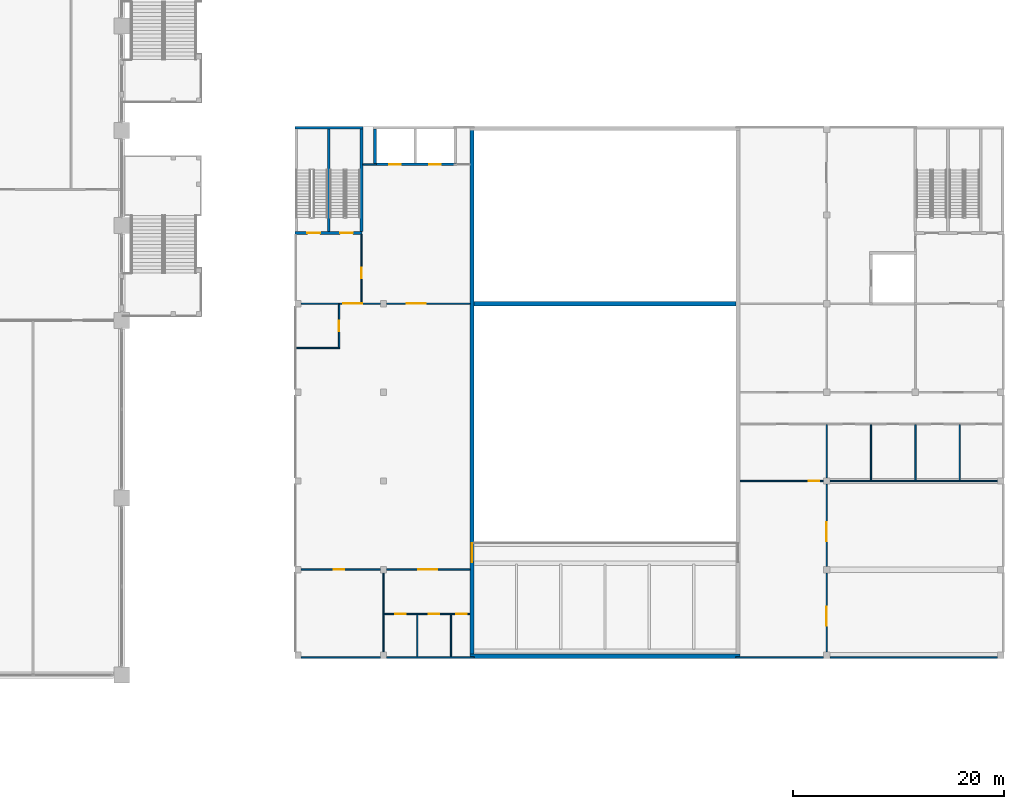
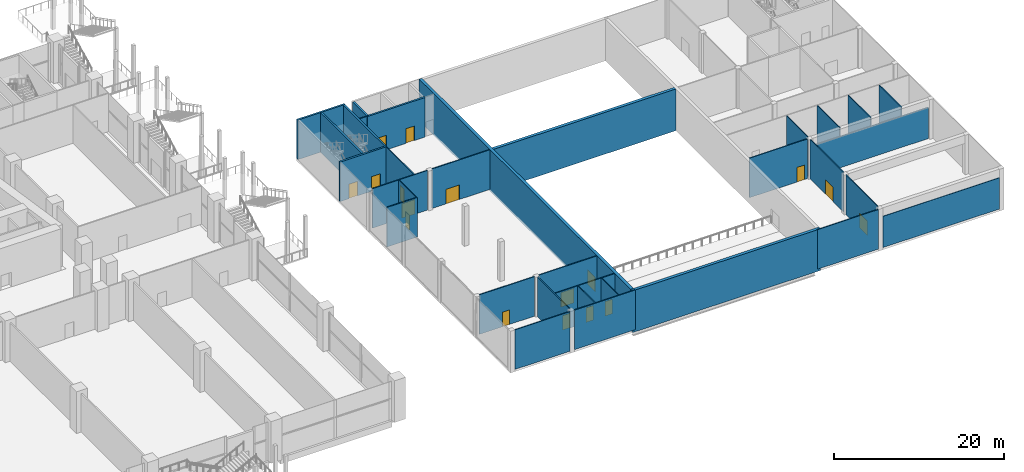
# One storey, part 29 of 49: 33 walls, 17 doors, 17 openings.
"""IFC4 building model written with IfcOpenShell, lengths in metres."""

import ifcopenshell
import ifcopenshell.guid

model = None  # the IFC model being written
_history = None  # IfcOwnerHistory: only IFC2X3 demands one
_inside = {}  # id of a spatial element -> (the spatial element, [elements in it])
_under = {}  # id of a project, library or spatial element -> (it, [spatial elements below it])
_declared = {}  # id of a project -> (the project, [libraries it declares])
_typed = {}  # id of a type object -> (the type object, [elements of that type])
_made_of = {}  # id of a material, layer set ... -> (it, [elements and type objects made of it])


def new_model(schema):
    """Start an empty IFC model of exactly this schema.

    Asked for "IFC4X3", IfcOpenShell would pick the latest addendum, in which some entities
    have other attributes; the version numbers below select the first issue.
    IFC2X3 requires an IfcOwnerHistory on every rooted entity: one is made here for all.
    """
    global model, _history
    if schema == "IFC4X3":
        model = ifcopenshell.file(schema_version=(4, 3, 0, 0))
    else:
        model = ifcopenshell.file(schema=schema)
    _inside.clear()
    _under.clear()
    _declared.clear()
    _typed.clear()
    _made_of.clear()
    _history = None
    if model.schema == "IFC2X3":
        org = make("IfcOrganization", Name="unknown")
        user = make(
            "IfcPersonAndOrganization",
            ThePerson=make("IfcPerson", FamilyName="unknown"),
            TheOrganization=org,
        )
        app = make(
            "IfcApplication",
            ApplicationDeveloper=org,
            Version="unknown",
            ApplicationFullName="unknown",
            ApplicationIdentifier="unknown",
        )
        _history = make(
            "IfcOwnerHistory",
            OwningUser=user,
            OwningApplication=app,
            ChangeAction="ADDED",
            CreationDate=0,
        )
    return model


def make(cls, **values):
    """One entity of the class cls with the attributes given. An attribute that is None is left unset."""
    return model.create_entity(
        cls, **{name: value for name, value in values.items() if value is not None}
    )


def rooted(cls, **values):
    """An entity with a GlobalId (a new one), such as an element, a storey or a relation."""
    return make(cls, GlobalId=ifcopenshell.guid.new(), OwnerHistory=_history, **values)


def si_unit(unit_type, name, prefix=None):
    """IfcSIUnit, for example si_unit("LENGTHUNIT", "METRE", prefix="MILLI")."""
    return make("IfcSIUnit", UnitType=unit_type, Prefix=prefix, Name=name)


def assignment(units):
    """IfcUnitAssignment: the units of a project."""
    return None if units is None else make("IfcUnitAssignment", Units=units)


def point(xyz):
    """IfcCartesianPoint."""
    return None if xyz is None else make("IfcCartesianPoint", Coordinates=xyz)


def direction(xyz):
    """IfcDirection."""
    return None if xyz is None else make("IfcDirection", DirectionRatios=xyz)


def frame(location, z_axis=None, x_axis=None):
    """IfcAxis2Placement3D, a coordinate frame: its origin and axes. An axis left out is left unset."""
    return make(
        "IfcAxis2Placement3D",
        Location=point(location),
        Axis=direction(z_axis),
        RefDirection=direction(x_axis),
    )


def frame_2d(location, x_axis=None):
    """IfcAxis2Placement2D, a coordinate frame in the plane: its origin and x axis."""
    return make(
        "IfcAxis2Placement2D", Location=point(location), RefDirection=direction(x_axis)
    )


def origin():
    """The frame at (0, 0, 0) with its axes left unset."""
    return frame((0.0, 0.0, 0.0))


def place(relative_to, where):
    """IfcLocalPlacement: puts the frame where relative to a parent placement (None: the world)."""
    return make(
        "IfcLocalPlacement", PlacementRelTo=relative_to, RelativePlacement=where
    )


def context(
    kind, dimensions, precision=None, world=None, true_north=None, identifier=None
):
    """IfcGeometricRepresentationContext, for example the 3D "Model" context."""
    return make(
        "IfcGeometricRepresentationContext",
        ContextIdentifier=identifier,
        ContextType=kind,
        CoordinateSpaceDimension=dimensions,
        Precision=precision,
        WorldCoordinateSystem=world,
        TrueNorth=true_north,
    )


def subcontext(parent, identifier, kind, view, scale=None):
    """IfcGeometricRepresentationSubContext, for example "Body" below "Model"."""
    return make(
        "IfcGeometricRepresentationSubContext",
        ContextIdentifier=identifier,
        ContextType=kind,
        ParentContext=parent,
        TargetScale=scale,
        TargetView=view,
    )


def project(units=None, contexts=None):
    """IfcProject with its units and contexts."""
    return rooted(
        "IfcProject",
        Name="project",
        RepresentationContexts=contexts,
        UnitsInContext=assignment(units),
    )


def spatial(cls, under=None, at=None, **own):
    """A site, building, storey or space (cls), placed at a placement, below another one or the project."""
    s = rooted(cls, ObjectPlacement=at, **own)
    if under is not None:
        _under.setdefault(under.id(), (under, []))[1].append(s)
    return s


def profile(cls, at=None, kind="AREA", **sizes):
    """A parametric profile (cls). Its sizes go by their IFC names, for example OverallWidth=200.0."""
    return make(cls, ProfileType=kind, Position=at, **sizes)


def rectangle(**sizes):
    """IfcRectangleProfileDef."""
    return profile("IfcRectangleProfileDef", **sizes)


def extrude(swept, where, along, depth):
    """IfcExtrudedAreaSolid: the profile swept, set in the frame where, extruded along a direction by depth."""
    return make(
        "IfcExtrudedAreaSolid",
        SweptArea=swept,
        Position=where,
        ExtrudedDirection=direction(along),
        Depth=depth,
    )


def shape(context_of_items, identifier, shape_type, items):
    """IfcShapeRepresentation: the items that make up one representation, for example the "Body"."""
    return make(
        "IfcShapeRepresentation",
        ContextOfItems=context_of_items,
        RepresentationIdentifier=identifier,
        RepresentationType=shape_type,
        Items=items,
    )


def material(Name=None, Category=None):
    """IfcMaterial."""
    return make("IfcMaterial", Name=Name, Category=Category)


def layer(
    of_material, thickness, ventilated=None, Name=None, Category=None, Priority=None
):
    """IfcMaterialLayer: one layer of a wall or slab, of a material (None: an air gap)."""
    return make(
        "IfcMaterialLayer",
        Material=of_material,
        LayerThickness=thickness,
        IsVentilated=ventilated,
        Name=Name,
        Category=Category,
        Priority=Priority,
    )


def layer_set(layers, Name=None):
    """IfcMaterialLayerSet."""
    return make("IfcMaterialLayerSet", MaterialLayers=layers, LayerSetName=Name)


def made_of(thing, what):
    """Note that an element or type object is made of a material, layer set ...; save() writes the relation."""
    if what is not None:
        _made_of.setdefault(what.id(), (what, []))[1].append(thing)
    return thing


def type_object(cls, material=None, **own):
    """A type object (cls), such as IfcWallType, which elements share."""
    return made_of(rooted(cls, **own), material)


def element(
    cls,
    number,
    at=None,
    inside=None,
    cuts=None,
    type_object=None,
    material=None,
    context=None,
    identifier="Body",
    shape_type=None,
    held_by="IfcProductDefinitionShape",
    body=None,
    shapes=None,
    **own,
):
    """One element of the class cls, such as IfcWall. Its Tag is "e" and its number.

    at: its placement. inside: the storey or other place that contains it. cuts: it is an
    opening in that element (IfcRelVoidsElement). A single representation is given by context,
    identifier, shape_type and body (its items); several are given by shapes. held_by: the class
    of the entity that holds the representations. save() writes the other relations.
    """
    e = rooted(cls, Tag="e%d" % number, ObjectPlacement=at, **own)
    if body is not None:
        shapes = [shape(context, identifier, shape_type, body)]
    if shapes is not None:
        e.Representation = make(held_by, Representations=shapes)
    if inside is not None:
        _inside.setdefault(inside.id(), (inside, []))[1].append(e)
    if cuts is not None:
        rooted(
            "IfcRelVoidsElement", RelatingBuildingElement=cuts, RelatedOpeningElement=e
        )
    if type_object is not None:
        _typed.setdefault(type_object.id(), (type_object, []))[1].append(e)
    return made_of(e, material)


def fill(opening, filler):
    """IfcRelFillsElement: the door or window that sits in an opening."""
    return rooted(
        "IfcRelFillsElement",
        RelatingOpeningElement=opening,
        RelatedBuildingElement=filler,
    )


def aggregate(whole, parts):
    """IfcRelAggregates: a whole, such as a stair, and the parts it consists of."""
    return rooted("IfcRelAggregates", RelatingObject=whole, RelatedObjects=parts)


def save(model, path):
    """Write the relations noted so far, then the file.

    IfcRelAggregates (storeys below a building ...), IfcRelContainedInSpatialStructure (elements
    in a storey), IfcRelDefinesByType, IfcRelAssociatesMaterial and IfcRelDeclares: one each for
    every whole, place, type object, material and project.
    """
    for whole, parts in _under.values():
        aggregate(whole, parts)
    for where, things in _inside.values():
        rooted(
            "IfcRelContainedInSpatialStructure",
            RelatedElements=things,
            RelatingStructure=where,
        )
    for kind, things in _typed.values():
        rooted("IfcRelDefinesByType", RelatedObjects=things, RelatingType=kind)
    for what, things in _made_of.values():
        rooted("IfcRelAssociatesMaterial", RelatedObjects=things, RelatingMaterial=what)
    for by, libraries in _declared.values():
        rooted("IfcRelDeclares", RelatingContext=by, RelatedDefinitions=libraries)
    model.write(path)


model = new_model("IFC4")

# Units and contexts
model_context = context("Model", 3, precision=1e-05, world=origin(), true_north=direction((0.0, 1.0)))
body_context = subcontext(model_context, "Body", "Model", "MODEL_VIEW")
ifc_project = project(units=[si_unit("LENGTHUNIT", "METRE"), si_unit("AREAUNIT", "SQUARE_METRE"), si_unit("VOLUMEUNIT", "CUBIC_METRE"), si_unit("PLANEANGLEUNIT", "RADIAN"), si_unit("MASSUNIT", "GRAM", prefix="KILO")], contexts=[model_context])

# Site, building, storey
site_placement = place(None, origin())
site = spatial("IfcSite", under=ifc_project, at=site_placement, CompositionType="ELEMENT")
building_placement = place(site_placement, origin())
building = spatial("IfcBuilding", under=site, at=building_placement, Name="Candeia Pilgrim Tower and Theatre", CompositionType="ELEMENT")
storey_placement = place(building_placement, frame((0.0, 0.0, 17.0)))
storey = spatial("IfcBuildingStorey", under=building, at=storey_placement, Name="L02", CompositionType="ELEMENT", Elevation=17.0)

# Walls
ifc_material_1 = material(Name="Gypsum board on steel studs", Category="steel")
ifc_layer_1 = layer(ifc_material_1, 0.125)
ifc_layer_set_1 = layer_set([ifc_layer_1], Name="Partition 125")
wall_type_1 = type_object("IfcWallType", Name="Partition 125", PredefinedType="PARTITIONING", material=ifc_layer_set_1)
wall_1_placement = place(storey_placement, frame((176.60009765625, 66.0625, 0.0), z_axis=(0.0, 0.0, 1.0), x_axis=(1.0, 0.0, 0.0)))
element("IfcWall", 1, at=wall_1_placement, inside=storey, type_object=wall_type_1, Name="T-L02-W001", PredefinedType="PARTITIONING", context=body_context, shape_type="SweptSolid", body=[
    extrude(rectangle(XDim=7.5, YDim=0.125, at=frame_2d((3.75, 0.0))), origin(), (0.0, 0.0, 1.0), 5.699951171875),
])
for number, where, z_axis, x_axis, name in (
    (2, (184.699951171875, 66.0625, 0.0), (0.0, 0.0, 1.0), (1.0, 0.0, 0.0), "T-L02-W002"),
    (3, (217.800048828125, 66.0625, 0.0), (0.0, 0.0, 1.0), (1.0, 0.0, 0.0), "T-L02-W003"),
):
    element("IfcWall", number, at=place(storey_placement, frame(where, z_axis=z_axis, x_axis=x_axis)), inside=storey, type_object=wall_type_1, Name=name, PredefinedType="PARTITIONING", context=body_context, shape_type="SweptSolid", body=[
        extrude(rectangle(XDim=8.300048828125, YDim=0.125, at=frame_2d((4.14990234375, 0.0))), origin(), (0.0, 0.0, 1.0), 5.699951171875),
    ])
wall_2_placement = place(storey_placement, frame((226.699951171875, 66.0625, 0.0), z_axis=(0.0, 0.0, 1.0), x_axis=(1.0, 0.0, 0.0)))
element("IfcWall", 4, at=wall_2_placement, inside=storey, type_object=wall_type_1, Name="T-L02-W004", PredefinedType="PARTITIONING", context=body_context, shape_type="SweptSolid", body=[
    extrude(rectangle(XDim=15.900146484375, YDim=0.125, at=frame_2d((7.9501953125, 0.0))), origin(), (0.0, 0.0, 1.0), 4.5),
])

# Wall, openings, doors
wall_3_placement = place(storey_placement, frame((184.46240234375, 70.199951171875, 0.0), z_axis=(0.0, 0.0, 1.0), x_axis=(1.0, 0.0, 0.0)))
wall_3 = element("IfcWall", 5, at=wall_3_placement, inside=storey, type_object=wall_type_1, Name="T-L02-W006", PredefinedType="PARTITIONING", context=body_context, shape_type="SweptSolid", body=[
    extrude(rectangle(XDim=8.1376953125, YDim=0.125, at=frame_2d((4.06884765625, 0.0))), origin(), (0.0, 0.0, 1.0), 5.699951171875),
])
opening_1_placement = place(wall_3_placement, frame((1.03759765625, 0.0, 0.0)))
opening_1 = element("IfcOpeningElement", 6, at=opening_1_placement, cuts=wall_3, Name="Opening TD-L02-013", PredefinedType="OPENING", context=body_context, shape_type="SweptSolid", body=[
    extrude(rectangle(XDim=1.0, YDim=2.10009765625, at=frame_2d((0.5, 1.050048828125))), frame((0.0, 0.072509765625, 0.0), z_axis=(0.0, -1.0, 0.0), x_axis=(1.0, 0.0, 0.0)), (0.0, 0.0, 1.0), 0.14501953125),
])
opening_2_placement = place(wall_3_placement, frame((4.237548828125, 0.0, 0.0)))
opening_2 = element("IfcOpeningElement", 7, at=opening_2_placement, cuts=wall_3, Name="Opening TD-L02-014", PredefinedType="OPENING", context=body_context, shape_type="SweptSolid", body=[
    extrude(rectangle(XDim=1.0, YDim=2.10009765625, at=frame_2d((0.5, 1.050048828125))), frame((0.0, 0.072509765625, 0.0), z_axis=(0.0, -1.0, 0.0), x_axis=(1.0, 0.0, 0.0)), (0.0, 0.0, 1.0), 0.14501953125),
])
opening_3_placement = place(wall_3_placement, frame((6.83740234375, 0.0, 0.0)))
opening_3 = element("IfcOpeningElement", 8, at=opening_3_placement, cuts=wall_3, Name="Opening TD-L02-015", PredefinedType="OPENING", context=body_context, shape_type="SweptSolid", body=[
    extrude(rectangle(XDim=1.0, YDim=2.10009765625, at=frame_2d((0.5, 1.050048828125))), frame((0.0, 0.072509765625, 0.0), z_axis=(0.0, -1.0, 0.0), x_axis=(1.0, 0.0, 0.0)), (0.0, 0.0, 1.0), 0.14501953125),
])
ifc_material_2 = material(Name="Timber door leaf", Category="wood")
door_type_1 = type_object("IfcDoorType", Name="Door single 1000x2100", OperationType="NOTDEFINED", PredefinedType="DOOR", material=ifc_material_2)
door_1_placement = place(opening_1_placement, origin())
door_1 = element("IfcDoor", 9, at=door_1_placement, inside=storey, type_object=door_type_1, Name="Door TD-L02-013", OperationType="SINGLE_SWING_LEFT", OverallHeight=2.10009765625, OverallWidth=1.0, PredefinedType="DOOR", context=body_context, shape_type="SweptSolid", body=[
    extrude(rectangle(XDim=1.0, YDim=2.10009765625, at=frame_2d((0.5, 1.050048828125))), frame((0.0, 0.02490234375, 0.0), z_axis=(0.0, -1.0, 0.0), x_axis=(1.0, 0.0, 0.0)), (0.0, 0.0, 1.0), 0.050048828125),
])
fill(opening_1, door_1)
door_2_placement = place(opening_2_placement, origin())
door_2 = element("IfcDoor", 10, at=door_2_placement, inside=storey, type_object=door_type_1, Name="Door TD-L02-014", OperationType="SINGLE_SWING_RIGHT", OverallHeight=2.10009765625, OverallWidth=1.0, PredefinedType="DOOR", context=body_context, shape_type="SweptSolid", body=[
    extrude(rectangle(XDim=1.0, YDim=2.10009765625, at=frame_2d((0.5, 1.050048828125))), frame((0.0, 0.02490234375, 0.0), z_axis=(0.0, -1.0, 0.0), x_axis=(1.0, 0.0, 0.0)), (0.0, 0.0, 1.0), 0.050048828125),
])
fill(opening_2, door_2)
door_3_placement = place(opening_3_placement, origin())
door_3 = element("IfcDoor", 11, at=door_3_placement, inside=storey, type_object=door_type_1, Name="Door TD-L02-015", OperationType="SINGLE_SWING_LEFT", OverallHeight=2.10009765625, OverallWidth=1.0, PredefinedType="DOOR", context=body_context, shape_type="SweptSolid", body=[
    extrude(rectangle(XDim=1.0, YDim=2.10009765625, at=frame_2d((0.5, 1.050048828125))), frame((0.0, 0.02490234375, 0.0), z_axis=(0.0, -1.0, 0.0), x_axis=(1.0, 0.0, 0.0)), (0.0, 0.0, 1.0), 0.050048828125),
])
fill(opening_3, door_3)

# Wall, opening, door
wall_4_placement = place(storey_placement, frame((176.60009765625, 74.39990234375, 0.0), z_axis=(0.0, 0.0, 1.0), x_axis=(1.0, 0.0, 0.0)))
wall_4 = element("IfcWall", 12, at=wall_4_placement, inside=storey, type_object=wall_type_1, Name="T-L02-W007", PredefinedType="PARTITIONING", context=body_context, shape_type="SweptSolid", body=[
    extrude(rectangle(XDim=7.5, YDim=0.125, at=frame_2d((3.75, 0.0))), origin(), (0.0, 0.0, 1.0), 5.699951171875),
])
opening_4_placement = place(wall_4_placement, frame((3.10009765625, 0.0, 0.0)))
opening_4 = element("IfcOpeningElement", 13, at=opening_4_placement, cuts=wall_4, Name="Opening TD-L02-016", PredefinedType="OPENING", context=body_context, shape_type="SweptSolid", body=[
    extrude(rectangle(XDim=1.0, YDim=2.10009765625, at=frame_2d((0.5, 1.050048828125))), frame((0.0, 0.072509765625, 0.0), z_axis=(0.0, -1.0, 0.0), x_axis=(1.0, 0.0, 0.0)), (0.0, 0.0, 1.0), 0.14501953125),
])
door_4_placement = place(opening_4_placement, origin())
door_4 = element("IfcDoor", 14, at=door_4_placement, inside=storey, type_object=door_type_1, Name="Door TD-L02-016", OperationType="SINGLE_SWING_RIGHT", OverallHeight=2.10009765625, OverallWidth=1.0, PredefinedType="DOOR", context=body_context, shape_type="SweptSolid", body=[
    extrude(rectangle(XDim=1.0, YDim=2.10009765625, at=frame_2d((0.5, 1.050048828125))), frame((0.0, 0.02490234375, 0.0), z_axis=(0.0, -1.0, 0.0), x_axis=(1.0, 0.0, 0.0)), (0.0, 0.0, 1.0), 0.050048828125),
])
fill(opening_4, door_4)

wall_5_placement = place(storey_placement, frame((184.699951171875, 74.39990234375, 0.0), z_axis=(0.0, 0.0, 1.0), x_axis=(1.0, 0.0, 0.0)))
wall_5 = element("IfcWall", 15, at=wall_5_placement, inside=storey, type_object=wall_type_1, Name="T-L02-W008", PredefinedType="PARTITIONING", context=body_context, shape_type="SweptSolid", body=[
    extrude(rectangle(XDim=7.900146484375, YDim=0.125, at=frame_2d((3.9501953125, 0.0))), origin(), (0.0, 0.0, 1.0), 5.699951171875),
])
opening_5_placement = place(wall_5_placement, frame((3.0, 0.0, 0.0)))
opening_5 = element("IfcOpeningElement", 16, at=opening_5_placement, cuts=wall_5, Name="Opening TD-L02-012", PredefinedType="OPENING", context=body_context, shape_type="SweptSolid", body=[
    extrude(rectangle(XDim=1.800048828125, YDim=2.10009765625, at=frame_2d((0.89990234375, 1.050048828125))), frame((0.0, 0.072509765625, 0.0), z_axis=(0.0, -1.0, 0.0), x_axis=(1.0, 0.0, 0.0)), (0.0, 0.0, 1.0), 0.14501953125),
])
door_type_2 = type_object("IfcDoorType", Name="Door double 1800x2100", OperationType="DOUBLE_DOOR_SINGLE_SWING", PredefinedType="DOOR", material=ifc_material_2)
door_5_placement = place(opening_5_placement, origin())
door_5 = element("IfcDoor", 17, at=door_5_placement, inside=storey, type_object=door_type_2, Name="Door TD-L02-012", OperationType="DOUBLE_DOOR_SINGLE_SWING", OverallHeight=2.10009765625, OverallWidth=1.800048828125, PredefinedType="DOOR", context=body_context, shape_type="SweptSolid", body=[
    extrude(rectangle(XDim=1.800048828125, YDim=2.10009765625, at=frame_2d((0.89990234375, 1.050048828125))), frame((0.0, 0.02490234375, 0.0), z_axis=(0.0, -1.0, 0.0), x_axis=(1.0, 0.0, 0.0)), (0.0, 0.0, 1.0), 0.050048828125),
])
fill(opening_5, door_5)

wall_6_placement = place(storey_placement, frame((218.199951171875, 82.800048828125, 0.0), z_axis=(0.0, 0.0, 1.0), x_axis=(1.0, 0.0, 0.0)))
wall_6 = element("IfcWall", 18, at=wall_6_placement, inside=storey, type_object=wall_type_1, Name="T-L02-W009", PredefinedType="PARTITIONING", context=body_context, shape_type="SweptSolid", body=[
    extrude(rectangle(XDim=7.900146484375, YDim=0.125, at=frame_2d((3.9501953125, 0.0))), origin(), (0.0, 0.0, 1.0), 5.699951171875),
])
opening_6_placement = place(wall_6_placement, frame((6.5, 0.0, 0.0)))
opening_6 = element("IfcOpeningElement", 19, at=opening_6_placement, cuts=wall_6, Name="Opening TD-L02-024", PredefinedType="OPENING", context=body_context, shape_type="SweptSolid", body=[
    extrude(rectangle(XDim=1.0, YDim=2.10009765625, at=frame_2d((0.5, 1.050048828125))), frame((0.0, 0.072509765625, 0.0), z_axis=(0.0, -1.0, 0.0), x_axis=(1.0, 0.0, 0.0)), (0.0, 0.0, 1.0), 0.14501953125),
])
door_6_placement = place(opening_6_placement, origin())
door_6 = element("IfcDoor", 20, at=door_6_placement, inside=storey, type_object=door_type_1, Name="Door TD-L02-024", OperationType="SINGLE_SWING_RIGHT", OverallHeight=2.10009765625, OverallWidth=1.0, PredefinedType="DOOR", context=body_context, shape_type="SweptSolid", body=[
    extrude(rectangle(XDim=1.0, YDim=2.10009765625, at=frame_2d((0.5, 1.050048828125))), frame((0.0, 0.02490234375, 0.0), z_axis=(0.0, -1.0, 0.0), x_axis=(1.0, 0.0, 0.0)), (0.0, 0.0, 1.0), 0.050048828125),
])
fill(opening_6, door_6)

# Walls
wall_7_placement = place(storey_placement, frame((226.699951171875, 82.800048828125, 0.0), z_axis=(0.0, 0.0, 1.0), x_axis=(1.0, 0.0, 0.0)))
element("IfcWall", 21, at=wall_7_placement, inside=storey, type_object=wall_type_1, Name="T-L02-W010", PredefinedType="PARTITIONING", context=body_context, shape_type="SweptSolid", body=[
    extrude(rectangle(XDim=15.900146484375, YDim=0.125, at=frame_2d((7.9501953125, 0.0))), origin(), (0.0, 0.0, 1.0), 4.5),
])
wall_8_placement = place(storey_placement, frame((176.125, 95.39990234375, 0.0), z_axis=(0.0, 0.0, 1.0), x_axis=(1.0, 0.0, 0.0)))
element("IfcWall", 22, at=wall_8_placement, inside=storey, type_object=wall_type_1, Name="T-L02-W015", PredefinedType="PARTITIONING", context=body_context, shape_type="SweptSolid", body=[
    extrude(rectangle(XDim=4.137451171875, YDim=0.125, at=frame_2d((2.06884765625, 0.0))), origin(), (0.0, 0.0, 1.0), 5.699951171875),
])

# Wall, opening, door
wall_9_placement = place(storey_placement, frame((176.60009765625, 99.60009765625, 0.0), z_axis=(0.0, 0.0, 1.0), x_axis=(1.0, 0.0, 0.0)))
wall_9 = element("IfcWall", 23, at=wall_9_placement, inside=storey, type_object=wall_type_1, Name="T-L02-W016", PredefinedType="PARTITIONING", context=body_context, shape_type="SweptSolid", body=[
    extrude(rectangle(XDim=7.5, YDim=0.125, at=frame_2d((3.75, 0.0))), origin(), (0.0, 0.0, 1.0), 5.699951171875),
])
opening_7_placement = place(wall_9_placement, frame((4.0, 0.0, 0.0)))
opening_7 = element("IfcOpeningElement", 24, at=opening_7_placement, cuts=wall_9, Name="Opening TD-L02-018", PredefinedType="OPENING", context=body_context, shape_type="SweptSolid", body=[
    extrude(rectangle(XDim=1.800048828125, YDim=2.10009765625, at=frame_2d((0.89990234375, 1.050048828125))), frame((0.0, 0.072509765625, 0.0), z_axis=(0.0, -1.0, 0.0), x_axis=(1.0, 0.0, 0.0)), (0.0, 0.0, 1.0), 0.14501953125),
])
door_7_placement = place(opening_7_placement, origin())
door_7 = element("IfcDoor", 25, at=door_7_placement, inside=storey, type_object=door_type_2, Name="Door TD-L02-018", OperationType="DOUBLE_DOOR_SINGLE_SWING", OverallHeight=2.10009765625, OverallWidth=1.800048828125, PredefinedType="DOOR", context=body_context, shape_type="SweptSolid", body=[
    extrude(rectangle(XDim=1.800048828125, YDim=2.10009765625, at=frame_2d((0.89990234375, 1.050048828125))), frame((0.0, 0.02490234375, 0.0), z_axis=(0.0, -1.0, 0.0), x_axis=(1.0, 0.0, 0.0)), (0.0, 0.0, 1.0), 0.050048828125),
])
fill(opening_7, door_7)

wall_10_placement = place(storey_placement, frame((184.699951171875, 99.60009765625, 0.0), z_axis=(0.0, 0.0, 1.0), x_axis=(1.0, 0.0, 0.0)))
wall_10 = element("IfcWall", 26, at=wall_10_placement, inside=storey, type_object=wall_type_1, Name="T-L02-W017", PredefinedType="PARTITIONING", context=body_context, shape_type="SweptSolid", body=[
    extrude(rectangle(XDim=7.900146484375, YDim=0.125, at=frame_2d((3.9501953125, 0.0))), origin(), (0.0, 0.0, 1.0), 5.699951171875),
])
opening_8_placement = place(wall_10_placement, frame((1.89990234375, 0.0, 0.0)))
opening_8 = element("IfcOpeningElement", 27, at=opening_8_placement, cuts=wall_10, Name="Opening TD-L02-019", PredefinedType="OPENING", context=body_context, shape_type="SweptSolid", body=[
    extrude(rectangle(XDim=1.800048828125, YDim=2.10009765625, at=frame_2d((0.89990234375, 1.050048828125))), frame((0.0, 0.072509765625, 0.0), z_axis=(0.0, -1.0, 0.0), x_axis=(1.0, 0.0, 0.0)), (0.0, 0.0, 1.0), 0.14501953125),
])
door_8_placement = place(opening_8_placement, origin())
door_8 = element("IfcDoor", 28, at=door_8_placement, inside=storey, type_object=door_type_2, Name="Door TD-L02-019", OperationType="DOUBLE_DOOR_SINGLE_SWING", OverallHeight=2.10009765625, OverallWidth=1.800048828125, PredefinedType="DOOR", context=body_context, shape_type="SweptSolid", body=[
    extrude(rectangle(XDim=1.800048828125, YDim=2.10009765625, at=frame_2d((0.89990234375, 1.050048828125))), frame((0.0, 0.02490234375, 0.0), z_axis=(0.0, -1.0, 0.0), x_axis=(1.0, 0.0, 0.0)), (0.0, 0.0, 1.0), 0.050048828125),
])
fill(opening_8, door_8)

# Wall
wall_11_placement = place(storey_placement, frame((182.449951171875, 112.800048828125, 0.0), z_axis=(0.0, 0.0, 1.0), x_axis=(1.0, 0.0, 0.0)))
element("IfcWall", 29, at=wall_11_placement, inside=storey, type_object=wall_type_1, Name="T-L02-W026", PredefinedType="PARTITIONING", context=body_context, shape_type="SweptSolid", body=[
    extrude(rectangle(XDim=1.275146484375, YDim=0.125, at=frame_2d((0.6376953125, 0.0))), origin(), (0.0, 0.0, 1.0), 5.699951171875),
])

# Wall, opening, door
wall_12_placement = place(storey_placement, frame((180.199951171875, 95.46240234375, 0.0), z_axis=(0.0, 0.0, 1.0), x_axis=(0.0, 1.0, 0.0)))
wall_12 = element("IfcWall", 30, at=wall_12_placement, inside=storey, type_object=wall_type_1, Name="T-L02-W039", PredefinedType="PARTITIONING", context=body_context, shape_type="SweptSolid", body=[
    extrude(rectangle(XDim=4.0751953125, YDim=0.125, at=frame_2d((2.03759765625, 0.0))), origin(), (0.0, 0.0, 1.0), 5.699951171875),
])
opening_9_placement = place(wall_12_placement, frame((1.53759765625, 0.0, 0.0)))
opening_9 = element("IfcOpeningElement", 31, at=opening_9_placement, cuts=wall_12, Name="Opening TD-L02-017", PredefinedType="OPENING", context=body_context, shape_type="SweptSolid", body=[
    extrude(rectangle(XDim=1.0, YDim=2.10009765625, at=frame_2d((0.5, 1.050048828125))), frame((0.0, 0.072509765625, 0.0), z_axis=(0.0, -1.0, 0.0), x_axis=(1.0, 0.0, 0.0)), (0.0, 0.0, 1.0), 0.14501953125),
])
door_9_placement = place(opening_9_placement, origin())
door_9 = element("IfcDoor", 32, at=door_9_placement, inside=storey, type_object=door_type_1, Name="Door TD-L02-017", OperationType="SINGLE_SWING_LEFT", OverallHeight=2.10009765625, OverallWidth=1.0, PredefinedType="DOOR", context=body_context, shape_type="SweptSolid", body=[
    extrude(rectangle(XDim=1.0, YDim=2.10009765625, at=frame_2d((0.5, 1.050048828125))), frame((0.0, 0.02490234375, 0.0), z_axis=(0.0, -1.0, 0.0), x_axis=(1.0, 0.0, 0.0)), (0.0, 0.0, 1.0), 0.050048828125),
])
fill(opening_9, door_9)

wall_13_placement = place(storey_placement, frame((182.324951171875, 99.66259765625, 0.0), z_axis=(0.0, 0.0, 1.0), x_axis=(0.0, 1.0, 0.0)))
wall_13 = element("IfcWall", 33, at=wall_13_placement, inside=storey, type_object=wall_type_1, Name="T-L02-W040", PredefinedType="PARTITIONING", context=body_context, shape_type="SweptSolid", body=[
    extrude(rectangle(XDim=6.512451171875, YDim=0.125, at=frame_2d((3.25634765625, 0.0))), origin(), (0.0, 0.0, 1.0), 5.699951171875),
])
opening_10_placement = place(wall_13_placement, frame((2.33740234375, 0.0, 0.0)))
opening_10 = element("IfcOpeningElement", 34, at=opening_10_placement, cuts=wall_13, Name="Opening TD-L02-003", PredefinedType="OPENING", context=body_context, shape_type="SweptSolid", body=[
    extrude(rectangle(XDim=1.0, YDim=2.10009765625, at=frame_2d((0.5, 1.050048828125))), frame((0.0, 0.072509765625, 0.0), z_axis=(0.0, -1.0, 0.0), x_axis=(1.0, 0.0, 0.0)), (0.0, 0.0, 1.0), 0.14501953125),
])
ifc_material_3 = material(Name="Steel fire door leaf", Category="steel")
door_type_3 = type_object("IfcDoorType", Name="Door fire single 1000x2100", OperationType="NOTDEFINED", PredefinedType="DOOR", material=ifc_material_3)
door_10_placement = place(opening_10_placement, origin())
door_10 = element("IfcDoor", 35, at=door_10_placement, inside=storey, type_object=door_type_3, Name="Door TD-L02-003", OperationType="SINGLE_SWING_LEFT", OverallHeight=2.10009765625, OverallWidth=1.0, PredefinedType="DOOR", context=body_context, shape_type="SweptSolid", body=[
    extrude(rectangle(XDim=1.0, YDim=2.10009765625, at=frame_2d((0.5, 1.050048828125))), frame((0.0, 0.02490234375, 0.0), z_axis=(0.0, -1.0, 0.0), x_axis=(1.0, 0.0, 0.0)), (0.0, 0.0, 1.0), 0.050048828125),
])
fill(opening_10, door_10)

# Walls
wall_14_placement = place(storey_placement, frame((184.39990234375, 66.60009765625, 0.0), z_axis=(0.0, 0.0, 1.0), x_axis=(0.0, 1.0, 0.0)))
element("IfcWall", 36, at=wall_14_placement, inside=storey, type_object=wall_type_1, Name="T-L02-W043", PredefinedType="PARTITIONING", context=body_context, shape_type="SweptSolid", body=[
    extrude(rectangle(XDim=7.5, YDim=0.125, at=frame_2d((3.75, 0.0))), origin(), (0.0, 0.0, 1.0), 5.699951171875),
])
for number, where, z_axis, x_axis, name in (
    (37, (187.60009765625, 66.125, 0.0), (0.0, 0.0, 1.0), (0.0, 1.0, 0.0), "T-L02-W045"),
    (38, (190.800048828125, 66.125, 0.0), (0.0, 0.0, 1.0), (0.0, 1.0, 0.0), "T-L02-W046"),
):
    element("IfcWall", number, at=place(storey_placement, frame(where, z_axis=z_axis, x_axis=x_axis)), inside=storey, type_object=wall_type_1, Name=name, PredefinedType="PARTITIONING", context=body_context, shape_type="SweptSolid", body=[
        extrude(rectangle(XDim=4.012451171875, YDim=0.125, at=frame_2d((2.00634765625, 0.0))), origin(), (0.0, 0.0, 1.0), 5.699951171875),
    ])

# Wall, opening, door
wall_15_placement = place(storey_placement, frame((226.39990234375, 66.60009765625, 0.0), z_axis=(0.0, 0.0, 1.0), x_axis=(0.0, 1.0, 0.0)))
wall_15 = element("IfcWall", 39, at=wall_15_placement, inside=storey, type_object=wall_type_1, Name="T-L02-W050", PredefinedType="PARTITIONING", context=body_context, shape_type="SweptSolid", body=[
    extrude(rectangle(XDim=7.5, YDim=0.125, at=frame_2d((3.75, 0.0))), origin(), (0.0, 0.0, 1.0), 5.699951171875),
])
opening_11_placement = place(wall_15_placement, frame((2.5, 0.0, 0.0)))
opening_11 = element("IfcOpeningElement", 40, at=opening_11_placement, cuts=wall_15, Name="Opening TD-L02-021", PredefinedType="OPENING", context=body_context, shape_type="SweptSolid", body=[
    extrude(rectangle(XDim=1.800048828125, YDim=2.10009765625, at=frame_2d((0.89990234375, 1.050048828125))), frame((0.0, 0.072509765625, 0.0), z_axis=(0.0, -1.0, 0.0), x_axis=(1.0, 0.0, 0.0)), (0.0, 0.0, 1.0), 0.14501953125),
])
door_11_placement = place(opening_11_placement, origin())
door_11 = element("IfcDoor", 41, at=door_11_placement, inside=storey, type_object=door_type_2, Name="Door TD-L02-021", OperationType="DOUBLE_DOOR_SINGLE_SWING", OverallHeight=2.10009765625, OverallWidth=1.800048828125, PredefinedType="DOOR", context=body_context, shape_type="SweptSolid", body=[
    extrude(rectangle(XDim=1.800048828125, YDim=2.10009765625, at=frame_2d((0.89990234375, 1.050048828125))), frame((0.0, 0.02490234375, 0.0), z_axis=(0.0, -1.0, 0.0), x_axis=(1.0, 0.0, 0.0)), (0.0, 0.0, 1.0), 0.050048828125),
])
fill(opening_11, door_11)

wall_16_placement = place(storey_placement, frame((226.39990234375, 74.699951171875, 0.0), z_axis=(0.0, 0.0, 1.0), x_axis=(0.0, 1.0, 0.0)))
wall_16 = element("IfcWall", 42, at=wall_16_placement, inside=storey, type_object=wall_type_1, Name="T-L02-W051", PredefinedType="PARTITIONING", context=body_context, shape_type="SweptSolid", body=[
    extrude(rectangle(XDim=7.800048828125, YDim=0.125, at=frame_2d((3.89990234375, 0.0))), origin(), (0.0, 0.0, 1.0), 5.699951171875),
])
opening_12_placement = place(wall_16_placement, frame((2.39990234375, 0.0, 0.0)))
opening_12 = element("IfcOpeningElement", 43, at=opening_12_placement, cuts=wall_16, Name="Opening TD-L02-022", PredefinedType="OPENING", context=body_context, shape_type="SweptSolid", body=[
    extrude(rectangle(XDim=1.800048828125, YDim=2.10009765625, at=frame_2d((0.89990234375, 1.050048828125))), frame((0.0, 0.072509765625, 0.0), z_axis=(0.0, -1.0, 0.0), x_axis=(1.0, 0.0, 0.0)), (0.0, 0.0, 1.0), 0.14501953125),
])
door_12_placement = place(opening_12_placement, origin())
door_12 = element("IfcDoor", 44, at=door_12_placement, inside=storey, type_object=door_type_2, Name="Door TD-L02-022", OperationType="DOUBLE_DOOR_SINGLE_SWING", OverallHeight=2.10009765625, OverallWidth=1.800048828125, PredefinedType="DOOR", context=body_context, shape_type="SweptSolid", body=[
    extrude(rectangle(XDim=1.800048828125, YDim=2.10009765625, at=frame_2d((0.89990234375, 1.050048828125))), frame((0.0, 0.02490234375, 0.0), z_axis=(0.0, -1.0, 0.0), x_axis=(1.0, 0.0, 0.0)), (0.0, 0.0, 1.0), 0.050048828125),
])
fill(opening_12, door_12)

# Walls
wall_17_placement = place(storey_placement, frame((226.39990234375, 83.10009765625, 0.0), z_axis=(0.0, 0.0, 1.0), x_axis=(0.0, 1.0, 0.0)))
element("IfcWall", 45, at=wall_17_placement, inside=storey, type_object=wall_type_1, Name="T-L02-W052", PredefinedType="PARTITIONING", context=body_context, shape_type="SweptSolid", body=[
    extrude(rectangle(XDim=5.037353515625, YDim=0.125, at=frame_2d((2.5185546875, 0.0))), origin(), (0.0, 0.0, 1.0), 5.699951171875),
])
for number, where, z_axis, x_axis, name in (
    (46, (230.60009765625, 82.862548828125, 0.0), (0.0, 0.0, 1.0), (0.0, 1.0, 0.0), "T-L02-W056"),
    (47, (234.800048828125, 82.862548828125, 0.0), (0.0, 0.0, 1.0), (0.0, 1.0, 0.0), "T-L02-W058"),
    (48, (239.0, 82.862548828125, 0.0), (0.0, 0.0, 1.0), (0.0, 1.0, 0.0), "T-L02-W064"),
):
    element("IfcWall", number, at=place(storey_placement, frame(where, z_axis=z_axis, x_axis=x_axis)), inside=storey, type_object=wall_type_1, Name=name, PredefinedType="PARTITIONING", context=body_context, shape_type="SweptSolid", body=[
        extrude(rectangle(XDim=5.27490234375, YDim=0.125, at=frame_2d((2.637451171875, 0.0))), origin(), (0.0, 0.0, 1.0), 5.699951171875),
    ])

# Wall, openings, doors
ifc_material_4 = material(Name="Concrete C35/45", Category="concrete")
ifc_layer_2 = layer(ifc_material_4, 0.25)
ifc_layer_set_2 = layer_set([ifc_layer_2], Name="RC wall 250 C35/45")
wall_type_2 = type_object("IfcWallType", Name="RC wall 250 C35/45", PredefinedType="SOLIDWALL", material=ifc_layer_set_2)
wall_18_placement = place(storey_placement, frame((176.0, 106.300048828125, 0.0), z_axis=(0.0, 0.0, 1.0), x_axis=(1.0, 0.0, 0.0)))
wall_18 = element("IfcWall", 49, at=wall_18_placement, inside=storey, type_object=wall_type_2, Name="T-L02-W024", PredefinedType="SOLIDWALL", context=body_context, shape_type="SweptSolid", body=[
    extrude(rectangle(XDim=6.387451171875, YDim=0.25, at=frame_2d((3.19384765625, 0.0))), origin(), (0.0, 0.0, 1.0), 5.699951171875),
])
opening_13_placement = place(wall_18_placement, frame((1.199951171875, 0.0, 0.0)))
opening_13 = element("IfcOpeningElement", 50, at=opening_13_placement, cuts=wall_18, Name="Opening TD-L02-001", PredefinedType="OPENING", context=body_context, shape_type="SweptSolid", body=[
    extrude(rectangle(XDim=1.199951171875, YDim=2.10009765625, at=frame_2d((0.60009765625, 1.050048828125))), frame((0.0, 0.135009765625, 0.0), z_axis=(0.0, -1.0, 0.0), x_axis=(1.0, 0.0, 0.0)), (0.0, 0.0, 1.0), 0.27001953125),
])
opening_14_placement = place(wall_18_placement, frame((4.300048828125, 0.0, 0.0)))
opening_14 = element("IfcOpeningElement", 51, at=opening_14_placement, cuts=wall_18, Name="Opening TD-L02-002", PredefinedType="OPENING", context=body_context, shape_type="SweptSolid", body=[
    extrude(rectangle(XDim=1.199951171875, YDim=2.10009765625, at=frame_2d((0.60009765625, 1.050048828125))), frame((0.0, 0.135009765625, 0.0), z_axis=(0.0, -1.0, 0.0), x_axis=(1.0, 0.0, 0.0)), (0.0, 0.0, 1.0), 0.27001953125),
])
door_type_4 = type_object("IfcDoorType", Name="Door exit single 1200x2100", OperationType="NOTDEFINED", PredefinedType="DOOR", material=ifc_material_3)
door_13_placement = place(opening_13_placement, origin())
door_13 = element("IfcDoor", 52, at=door_13_placement, inside=storey, type_object=door_type_4, Name="Door TD-L02-001", OperationType="SINGLE_SWING_LEFT", OverallHeight=2.10009765625, OverallWidth=1.199951171875, PredefinedType="DOOR", context=body_context, shape_type="SweptSolid", body=[
    extrude(rectangle(XDim=1.199951171875, YDim=2.10009765625, at=frame_2d((0.60009765625, 1.050048828125))), frame((0.0, 0.02490234375, 0.0), z_axis=(0.0, -1.0, 0.0), x_axis=(1.0, 0.0, 0.0)), (0.0, 0.0, 1.0), 0.050048828125),
])
fill(opening_13, door_13)
door_14_placement = place(opening_14_placement, origin())
door_14 = element("IfcDoor", 53, at=door_14_placement, inside=storey, type_object=door_type_4, Name="Door TD-L02-002", OperationType="SINGLE_SWING_RIGHT", OverallHeight=2.10009765625, OverallWidth=1.199951171875, PredefinedType="DOOR", context=body_context, shape_type="SweptSolid", body=[
    extrude(rectangle(XDim=1.199951171875, YDim=2.10009765625, at=frame_2d((0.60009765625, 1.050048828125))), frame((0.0, 0.02490234375, 0.0), z_axis=(0.0, -1.0, 0.0), x_axis=(1.0, 0.0, 0.0)), (0.0, 0.0, 1.0), 0.050048828125),
])
fill(opening_14, door_14)

wall_19_placement = place(storey_placement, frame((183.47509765625, 112.800048828125, 0.0), z_axis=(0.0, 0.0, 1.0), x_axis=(1.0, 0.0, 0.0)))
wall_19 = element("IfcWall", 54, at=wall_19_placement, inside=storey, type_object=wall_type_2, Name="T-L02-W027", PredefinedType="SOLIDWALL", context=body_context, shape_type="SweptSolid", body=[
    extrude(rectangle(XDim=7.849853515625, YDim=0.25, at=frame_2d((3.9248046875, 0.0))), origin(), (0.0, 0.0, 1.0), 5.699951171875),
])
opening_15_placement = place(wall_19_placement, frame((1.47509765625, 0.0, 0.0)))
opening_15 = element("IfcOpeningElement", 55, at=opening_15_placement, cuts=wall_19, Name="Opening TD-L02-004", PredefinedType="OPENING", context=body_context, shape_type="SweptSolid", body=[
    extrude(rectangle(XDim=1.10009765625, YDim=2.10009765625, at=frame_2d((0.550048828125, 1.050048828125))), frame((0.0, 0.135009765625, 0.0), z_axis=(0.0, -1.0, 0.0), x_axis=(1.0, 0.0, 0.0)), (0.0, 0.0, 1.0), 0.27001953125),
])
opening_16_placement = place(wall_19_placement, frame((5.27490234375, 0.0, 0.0)))
opening_16 = element("IfcOpeningElement", 56, at=opening_16_placement, cuts=wall_19, Name="Opening TD-L02-005", PredefinedType="OPENING", context=body_context, shape_type="SweptSolid", body=[
    extrude(rectangle(XDim=1.10009765625, YDim=2.10009765625, at=frame_2d((0.550048828125, 1.050048828125))), frame((0.0, 0.135009765625, 0.0), z_axis=(0.0, -1.0, 0.0), x_axis=(1.0, 0.0, 0.0)), (0.0, 0.0, 1.0), 0.27001953125),
])
ifc_material_5 = material(Name="Stainless steel landing door", Category="steel")
door_type_5 = type_object("IfcDoorType", Name="Door lift landing 1100x2100", OperationType="DOUBLE_DOOR_SLIDING", PredefinedType="DOOR", material=ifc_material_5)
door_15_placement = place(opening_15_placement, origin())
door_15 = element("IfcDoor", 57, at=door_15_placement, inside=storey, type_object=door_type_5, Name="Door TD-L02-004", OperationType="DOUBLE_DOOR_SLIDING", OverallHeight=2.10009765625, OverallWidth=1.10009765625, PredefinedType="DOOR", context=body_context, shape_type="SweptSolid", body=[
    extrude(rectangle(XDim=1.10009765625, YDim=2.10009765625, at=frame_2d((0.550048828125, 1.050048828125))), frame((0.0, 0.02490234375, 0.0), z_axis=(0.0, -1.0, 0.0), x_axis=(1.0, 0.0, 0.0)), (0.0, 0.0, 1.0), 0.050048828125),
])
fill(opening_15, door_15)
door_16_placement = place(opening_16_placement, origin())
door_16 = element("IfcDoor", 58, at=door_16_placement, inside=storey, type_object=door_type_5, Name="Door TD-L02-005", OperationType="DOUBLE_DOOR_SLIDING", OverallHeight=2.10009765625, OverallWidth=1.10009765625, PredefinedType="DOOR", context=body_context, shape_type="SweptSolid", body=[
    extrude(rectangle(XDim=1.10009765625, YDim=2.10009765625, at=frame_2d((0.550048828125, 1.050048828125))), frame((0.0, 0.02490234375, 0.0), z_axis=(0.0, -1.0, 0.0), x_axis=(1.0, 0.0, 0.0)), (0.0, 0.0, 1.0), 0.050048828125),
])
fill(opening_16, door_16)

# Walls
wall_20_placement = place(storey_placement, frame((176.0, 116.27490234375, 0.0), z_axis=(0.0, 0.0, 1.0), x_axis=(1.0, 0.0, 0.0)))
element("IfcWall", 59, at=wall_20_placement, inside=storey, type_object=wall_type_2, Name="T-L02-W030", PredefinedType="SOLIDWALL", context=body_context, shape_type="SweptSolid", body=[
    extrude(rectangle(XDim=6.449951171875, YDim=0.25, at=frame_2d((3.22509765625, 0.0))), origin(), (0.0, 0.0, 1.0), 5.699951171875),
])
for number, where, z_axis, x_axis, name in (
    (60, (179.22509765625, 106.425048828125, 0.0), (0.0, 0.0, 1.0), (0.0, 1.0, 0.0), "T-L02-W038"),
    (61, (182.324951171875, 106.425048828125, 0.0), (0.0, 0.0, 1.0), (0.0, 1.0, 0.0), "T-L02-W041"),
):
    element("IfcWall", number, at=place(storey_placement, frame(where, z_axis=z_axis, x_axis=x_axis)), inside=storey, type_object=wall_type_2, Name=name, PredefinedType="SOLIDWALL", context=body_context, shape_type="SweptSolid", body=[
        extrude(rectangle(XDim=9.724853515625, YDim=0.25, at=frame_2d((4.8623046875, 0.0))), origin(), (0.0, 0.0, 1.0), 5.699951171875),
    ])
wall_21_placement = place(storey_placement, frame((183.60009765625, 112.862548828125, 0.0), z_axis=(0.0, 0.0, 1.0), x_axis=(0.0, 1.0, 0.0)))
element("IfcWall", 62, at=wall_21_placement, inside=storey, type_object=wall_type_2, Name="T-L02-W042", PredefinedType="SOLIDWALL", context=body_context, shape_type="SweptSolid", body=[
    extrude(rectangle(XDim=3.287353515625, YDim=0.25, at=frame_2d((1.6435546875, 0.0))), origin(), (0.0, 0.0, 1.0), 5.699951171875),
])
ifc_material_6 = material(Name="Concrete C40/50", Category="concrete")
ifc_layer_3 = layer(ifc_material_6, 0.39990234375)
ifc_layer_set_3 = layer_set([ifc_layer_3], Name="RC wall 400 house C40/50")
wall_type_3 = type_object("IfcWallType", Name="RC wall 400 house C40/50", PredefinedType="SOLIDWALL", material=ifc_layer_set_3)
wall_22_placement = place(storey_placement, frame((192.60009765625, 66.199951171875, -0.300048828125), z_axis=(0.0, 0.0, 1.0), x_axis=(1.0, 0.0, 0.0)))
element("IfcWall", 63, at=wall_22_placement, inside=storey, type_object=wall_type_3, Name="T-L02-W005", PredefinedType="SOLIDWALL", context=body_context, shape_type="SweptSolid", body=[
    extrude(rectangle(XDim=25.599853515625, YDim=0.39990234375, at=frame_2d((12.7998046875, 0.0))), origin(), (0.0, 0.0, 1.0), 6.0),
])
wall_23_placement = place(storey_placement, frame((193.0, 99.60009765625, -0.300048828125), z_axis=(0.0, 0.0, 1.0), x_axis=(1.0, 0.0, 0.0)))
element("IfcWall", 64, at=wall_23_placement, inside=storey, type_object=wall_type_3, Name="T-L02-W018", PredefinedType="SOLIDWALL", context=body_context, shape_type="SweptSolid", body=[
    extrude(rectangle(XDim=24.800048828125, YDim=0.39990234375, at=frame_2d((12.39990234375, 0.0))), origin(), (0.0, 0.0, 1.0), 6.0),
])

# Wall, opening, door
wall_24_placement = place(storey_placement, frame((192.800048828125, 66.125, -0.300048828125), z_axis=(0.0, 0.0, 1.0), x_axis=(0.0, 1.0, 0.0)))
wall_24 = element("IfcWall", 65, at=wall_24_placement, inside=storey, type_object=wall_type_3, Name="T-L02-W048", PredefinedType="SOLIDWALL", context=body_context, shape_type="SweptSolid", body=[
    extrude(rectangle(XDim=50.14990234375, YDim=0.39990234375, at=frame_2d((25.074951171875, 0.0))), origin(), (0.0, 0.0, 1.0), 6.0),
])
opening_17_placement = place(wall_24_placement, frame((8.97509765625, 0.0, 0.300048828125)))
opening_17 = element("IfcOpeningElement", 66, at=opening_17_placement, cuts=wall_24, Name="Opening TD-L02-020", PredefinedType="OPENING", context=body_context, shape_type="SweptSolid", body=[
    extrude(rectangle(XDim=1.800048828125, YDim=2.10009765625, at=frame_2d((0.89990234375, 1.050048828125))), frame((0.0, 0.2099609375, 0.0), z_axis=(0.0, -1.0, 0.0), x_axis=(1.0, 0.0, 0.0)), (0.0, 0.0, 1.0), 0.419921875),
])
door_17_placement = place(opening_17_placement, origin())
door_17 = element("IfcDoor", 67, at=door_17_placement, inside=storey, type_object=door_type_2, Name="Door TD-L02-020", OperationType="DOUBLE_DOOR_SINGLE_SWING", OverallHeight=2.10009765625, OverallWidth=1.800048828125, PredefinedType="DOOR", context=body_context, shape_type="SweptSolid", body=[
    extrude(rectangle(XDim=1.800048828125, YDim=2.10009765625, at=frame_2d((0.89990234375, 1.050048828125))), frame((0.0, 0.02490234375, 0.0), z_axis=(0.0, -1.0, 0.0), x_axis=(1.0, 0.0, 0.0)), (0.0, 0.0, 1.0), 0.050048828125),
])
fill(opening_17, door_17)

save(model, "model.ifc")
